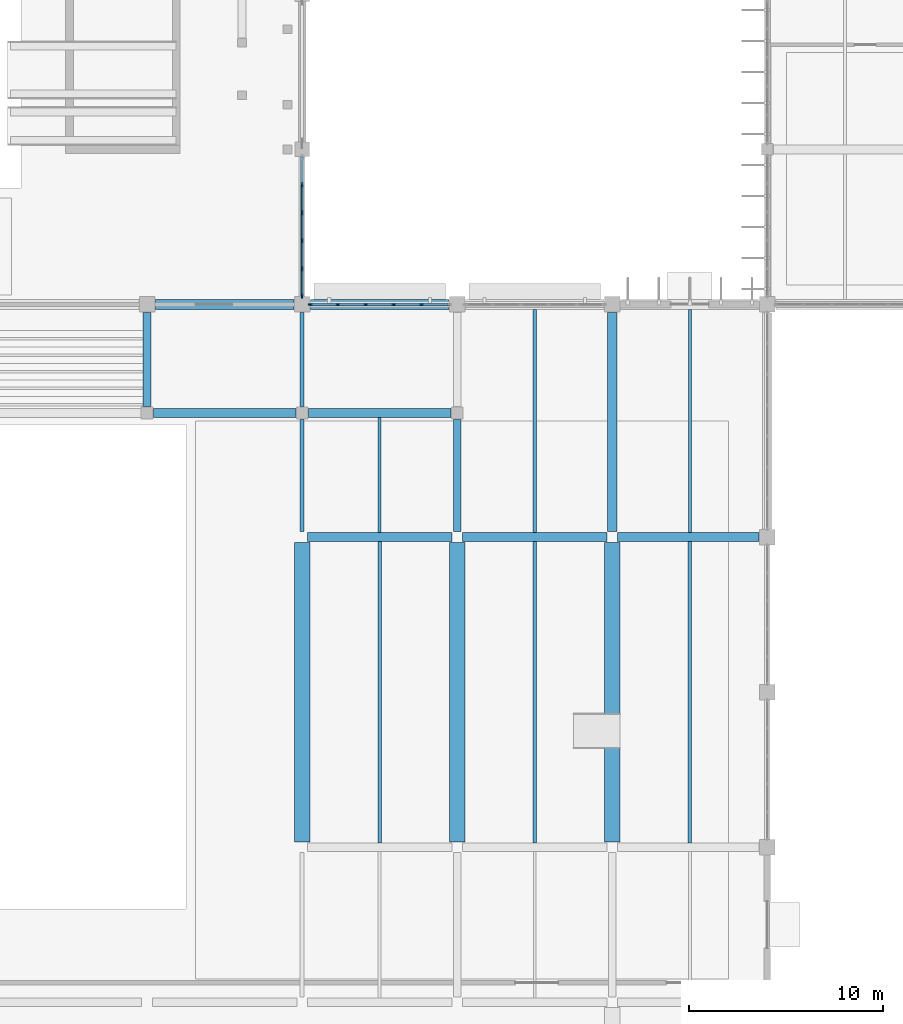
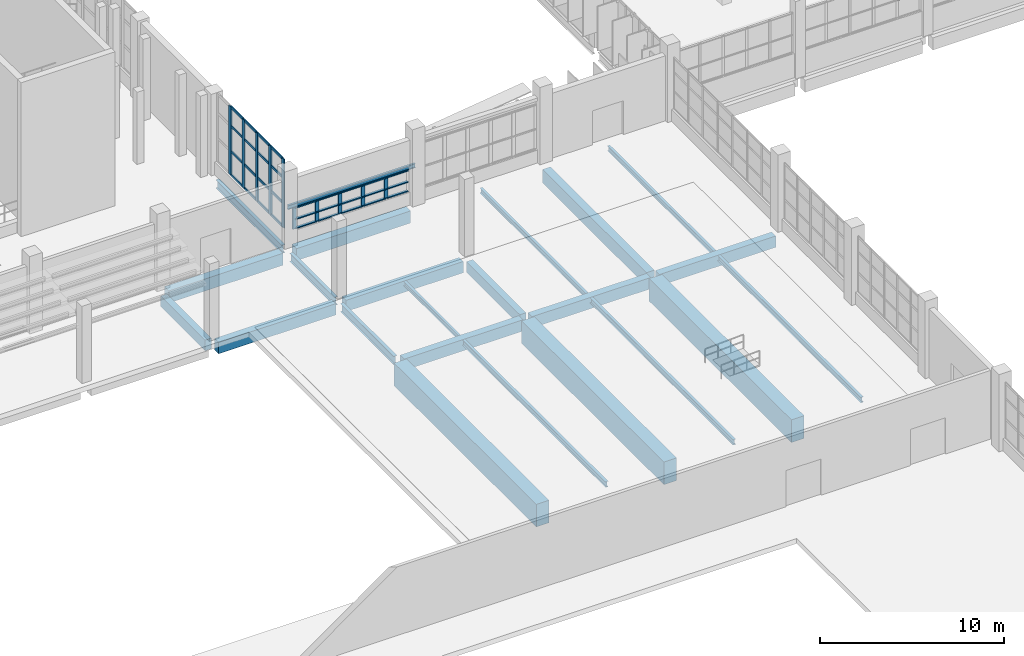
# One storey, part 31 of 103: 41 members, 23 beams, 2 elements without a shape of their own.
"""IFC4 building model written with IfcOpenShell, lengths in metres."""

import ifcopenshell
import ifcopenshell.guid

model = None  # the IFC model being written
_history = None  # IfcOwnerHistory: only IFC2X3 demands one
_inside = {}  # id of a spatial element -> (the spatial element, [elements in it])
_under = {}  # id of a project, library or spatial element -> (it, [spatial elements below it])
_declared = {}  # id of a project -> (the project, [libraries it declares])
_typed = {}  # id of a type object -> (the type object, [elements of that type])
_made_of = {}  # id of a material, layer set ... -> (it, [elements and type objects made of it])


def new_model(schema):
    """Start an empty IFC model of exactly this schema.

    Asked for "IFC4X3", IfcOpenShell would pick the latest addendum, in which some entities
    have other attributes; the version numbers below select the first issue.
    IFC2X3 requires an IfcOwnerHistory on every rooted entity: one is made here for all.
    """
    global model, _history
    if schema == "IFC4X3":
        model = ifcopenshell.file(schema_version=(4, 3, 0, 0))
    else:
        model = ifcopenshell.file(schema=schema)
    _inside.clear()
    _under.clear()
    _declared.clear()
    _typed.clear()
    _made_of.clear()
    _history = None
    if model.schema == "IFC2X3":
        org = make("IfcOrganization", Name="unknown")
        user = make(
            "IfcPersonAndOrganization",
            ThePerson=make("IfcPerson", FamilyName="unknown"),
            TheOrganization=org,
        )
        app = make(
            "IfcApplication",
            ApplicationDeveloper=org,
            Version="unknown",
            ApplicationFullName="unknown",
            ApplicationIdentifier="unknown",
        )
        _history = make(
            "IfcOwnerHistory",
            OwningUser=user,
            OwningApplication=app,
            ChangeAction="ADDED",
            CreationDate=0,
        )
    return model


def make(cls, **values):
    """One entity of the class cls with the attributes given. An attribute that is None is left unset."""
    return model.create_entity(
        cls, **{name: value for name, value in values.items() if value is not None}
    )


def rooted(cls, **values):
    """An entity with a GlobalId (a new one), such as an element, a storey or a relation."""
    return make(cls, GlobalId=ifcopenshell.guid.new(), OwnerHistory=_history, **values)


def si_unit(unit_type, name, prefix=None):
    """IfcSIUnit, for example si_unit("LENGTHUNIT", "METRE", prefix="MILLI")."""
    return make("IfcSIUnit", UnitType=unit_type, Prefix=prefix, Name=name)


def assignment(units):
    """IfcUnitAssignment: the units of a project."""
    return None if units is None else make("IfcUnitAssignment", Units=units)


def point(xyz):
    """IfcCartesianPoint."""
    return None if xyz is None else make("IfcCartesianPoint", Coordinates=xyz)


def direction(xyz):
    """IfcDirection."""
    return None if xyz is None else make("IfcDirection", DirectionRatios=xyz)


def frame(location, z_axis=None, x_axis=None):
    """IfcAxis2Placement3D, a coordinate frame: its origin and axes. An axis left out is left unset."""
    return make(
        "IfcAxis2Placement3D",
        Location=point(location),
        Axis=direction(z_axis),
        RefDirection=direction(x_axis),
    )


def frame_2d(location, x_axis=None):
    """IfcAxis2Placement2D, a coordinate frame in the plane: its origin and x axis."""
    return make(
        "IfcAxis2Placement2D", Location=point(location), RefDirection=direction(x_axis)
    )


def origin():
    """The frame at (0, 0, 0) with its axes left unset."""
    return frame((0.0, 0.0, 0.0))


def origin_2d():
    """The frame at (0, 0) in the plane with its x axis left unset."""
    return frame_2d((0.0, 0.0))


def place(relative_to, where):
    """IfcLocalPlacement: puts the frame where relative to a parent placement (None: the world)."""
    return make(
        "IfcLocalPlacement", PlacementRelTo=relative_to, RelativePlacement=where
    )


def context(
    kind, dimensions, precision=None, world=None, true_north=None, identifier=None
):
    """IfcGeometricRepresentationContext, for example the 3D "Model" context."""
    return make(
        "IfcGeometricRepresentationContext",
        ContextIdentifier=identifier,
        ContextType=kind,
        CoordinateSpaceDimension=dimensions,
        Precision=precision,
        WorldCoordinateSystem=world,
        TrueNorth=true_north,
    )


def subcontext(parent, identifier, kind, view, scale=None):
    """IfcGeometricRepresentationSubContext, for example "Body" below "Model"."""
    return make(
        "IfcGeometricRepresentationSubContext",
        ContextIdentifier=identifier,
        ContextType=kind,
        ParentContext=parent,
        TargetScale=scale,
        TargetView=view,
    )


def project(units=None, contexts=None):
    """IfcProject with its units and contexts."""
    return rooted(
        "IfcProject",
        Name="project",
        RepresentationContexts=contexts,
        UnitsInContext=assignment(units),
    )


def spatial(cls, under=None, at=None, **own):
    """A site, building, storey or space (cls), placed at a placement, below another one or the project."""
    s = rooted(cls, ObjectPlacement=at, **own)
    if under is not None:
        _under.setdefault(under.id(), (under, []))[1].append(s)
    return s


def profile(cls, at=None, kind="AREA", **sizes):
    """A parametric profile (cls). Its sizes go by their IFC names, for example OverallWidth=200.0."""
    return make(cls, ProfileType=kind, Position=at, **sizes)


def rectangle(**sizes):
    """IfcRectangleProfileDef."""
    return profile("IfcRectangleProfileDef", **sizes)


def i_section(**sizes):
    """IfcIShapeProfileDef."""
    return profile("IfcIShapeProfileDef", **sizes)


def extrude(swept, where, along, depth):
    """IfcExtrudedAreaSolid: the profile swept, set in the frame where, extruded along a direction by depth."""
    return make(
        "IfcExtrudedAreaSolid",
        SweptArea=swept,
        Position=where,
        ExtrudedDirection=direction(along),
        Depth=depth,
    )


def shape(context_of_items, identifier, shape_type, items):
    """IfcShapeRepresentation: the items that make up one representation, for example the "Body"."""
    return make(
        "IfcShapeRepresentation",
        ContextOfItems=context_of_items,
        RepresentationIdentifier=identifier,
        RepresentationType=shape_type,
        Items=items,
    )


def material(Name=None, Category=None):
    """IfcMaterial."""
    return make("IfcMaterial", Name=Name, Category=Category)


def layer(
    of_material, thickness, ventilated=None, Name=None, Category=None, Priority=None
):
    """IfcMaterialLayer: one layer of a wall or slab, of a material (None: an air gap)."""
    return make(
        "IfcMaterialLayer",
        Material=of_material,
        LayerThickness=thickness,
        IsVentilated=ventilated,
        Name=Name,
        Category=Category,
        Priority=Priority,
    )


def layer_set(layers, Name=None):
    """IfcMaterialLayerSet."""
    return make("IfcMaterialLayerSet", MaterialLayers=layers, LayerSetName=Name)


def material_profile(
    of_material, cross_section, Name=None, Category=None, Priority=None
):
    """IfcMaterialProfile: a cross section and its material."""
    return make(
        "IfcMaterialProfile",
        Name=Name,
        Material=of_material,
        Profile=cross_section,
        Priority=Priority,
        Category=Category,
    )


def profile_set(profiles, Name=None, composite=None):
    """IfcMaterialProfileSet."""
    return make(
        "IfcMaterialProfileSet",
        Name=Name,
        MaterialProfiles=profiles,
        CompositeProfile=composite,
    )


def made_of(thing, what):
    """Note that an element or type object is made of a material, layer set ...; save() writes the relation."""
    if what is not None:
        _made_of.setdefault(what.id(), (what, []))[1].append(thing)
    return thing


def type_object(cls, material=None, **own):
    """A type object (cls), such as IfcWallType, which elements share."""
    return made_of(rooted(cls, **own), material)


def element(
    cls,
    number,
    at=None,
    inside=None,
    cuts=None,
    type_object=None,
    material=None,
    context=None,
    identifier="Body",
    shape_type=None,
    held_by="IfcProductDefinitionShape",
    body=None,
    shapes=None,
    **own,
):
    """One element of the class cls, such as IfcWall. Its Tag is "e" and its number.

    at: its placement. inside: the storey or other place that contains it. cuts: it is an
    opening in that element (IfcRelVoidsElement). A single representation is given by context,
    identifier, shape_type and body (its items); several are given by shapes. held_by: the class
    of the entity that holds the representations. save() writes the other relations.
    """
    e = rooted(cls, Tag="e%d" % number, ObjectPlacement=at, **own)
    if body is not None:
        shapes = [shape(context, identifier, shape_type, body)]
    if shapes is not None:
        e.Representation = make(held_by, Representations=shapes)
    if inside is not None:
        _inside.setdefault(inside.id(), (inside, []))[1].append(e)
    if cuts is not None:
        rooted(
            "IfcRelVoidsElement", RelatingBuildingElement=cuts, RelatedOpeningElement=e
        )
    if type_object is not None:
        _typed.setdefault(type_object.id(), (type_object, []))[1].append(e)
    return made_of(e, material)


def aggregate(whole, parts):
    """IfcRelAggregates: a whole, such as a stair, and the parts it consists of."""
    return rooted("IfcRelAggregates", RelatingObject=whole, RelatedObjects=parts)


def save(model, path):
    """Write the relations noted so far, then the file.

    IfcRelAggregates (storeys below a building ...), IfcRelContainedInSpatialStructure (elements
    in a storey), IfcRelDefinesByType, IfcRelAssociatesMaterial and IfcRelDeclares: one each for
    every whole, place, type object, material and project.
    """
    for whole, parts in _under.values():
        aggregate(whole, parts)
    for where, things in _inside.values():
        rooted(
            "IfcRelContainedInSpatialStructure",
            RelatedElements=things,
            RelatingStructure=where,
        )
    for kind, things in _typed.values():
        rooted("IfcRelDefinesByType", RelatedObjects=things, RelatingType=kind)
    for what, things in _made_of.values():
        rooted("IfcRelAssociatesMaterial", RelatedObjects=things, RelatingMaterial=what)
    for by, libraries in _declared.values():
        rooted("IfcRelDeclares", RelatingContext=by, RelatedDefinitions=libraries)
    model.write(path)


model = new_model("IFC4")

# Units and contexts
model_context = context("Model", 3, precision=1e-05, world=origin(), true_north=direction((0.0, 1.0)))
body_context = subcontext(model_context, "Body", "Model", "MODEL_VIEW")
ifc_project = project(units=[si_unit("LENGTHUNIT", "METRE"), si_unit("AREAUNIT", "SQUARE_METRE"), si_unit("VOLUMEUNIT", "CUBIC_METRE"), si_unit("PLANEANGLEUNIT", "RADIAN"), si_unit("MASSUNIT", "GRAM", prefix="KILO")], contexts=[model_context])

# Site, building, storey
site_placement = place(None, origin())
site = spatial("IfcSite", under=ifc_project, at=site_placement, CompositionType="ELEMENT")
building_placement = place(site_placement, origin())
building = spatial("IfcBuilding", under=site, at=building_placement, Name="Drelvana Railside Aquatics Centre", CompositionType="ELEMENT")
storey_placement = place(building_placement, origin())
storey = spatial("IfcBuildingStorey", under=building, at=storey_placement, Name="L00", CompositionType="ELEMENT", Elevation=0.0)

# Curtain wall, members
ifc_material_1 = material(Name="Bronze-anodised aluminium curtain wall", Category="aluminium")
ifc_layer_1 = layer(ifc_material_1, 0.199951171875, Name="Bronze-anodised aluminium curtain wall")
ifc_layer_set_1 = layer_set([ifc_layer_1], Name="Bronze-anodised aluminium curtain wall")
curtain_wall_type_1 = type_object("IfcCurtainWallType", Name="CW-Z1-SINE", PredefinedType="NOTDEFINED", material=ifc_layer_set_1)
curtain_wall_1_placement = place(storey_placement, origin())
curtain_wall_1 = element("IfcCurtainWall", 1, at=curtain_wall_1_placement, inside=storey, type_object=curtain_wall_type_1, Name="Curtain wall CW-01-020", PredefinedType="NOTDEFINED")
ifc_material_2 = material(Name="Bronze-anodised aluminium 6063-T6", Category="aluminium")
ifc_material_profile_1 = material_profile(ifc_material_2, rectangle(XDim=0.074951171875, YDim=0.22509765625, at=origin_2d()), Name="ALU-M 75x225")
ifc_profile_set_1 = profile_set([ifc_material_profile_1], Name="Bronze-anodised aluminium 6063-T6")
member_type_1 = type_object("IfcMemberType", Name="CW-Z1-SINE-MUL", PredefinedType="MULLION", material=ifc_profile_set_1)
member_1_placement = place(storey_placement, frame((72.431396484375, 84.0, 0.843994140625), z_axis=(0.0, 0.0, 1.0), x_axis=(0.0, 1.0, 0.0)))
member_1 = element("IfcMember", 2, at=member_1_placement, type_object=member_type_1, Name="CW-01 mullion 1", PredefinedType="MULLION", context=body_context, shape_type="SweptSolid", body=[
    extrude(rectangle(XDim=0.074951171875, YDim=0.22509765625, at=origin_2d()), origin(), (0.0, 0.0, 1.0), 1.43603515625),
])
member_2_placement = place(storey_placement, frame((73.83642578125, 84.0, 0.843994140625), z_axis=(0.0, 0.0, 1.0), x_axis=(0.0, 1.0, 0.0)))
member_2 = element("IfcMember", 3, at=member_2_placement, type_object=member_type_1, Name="CW-01 mullion 2", PredefinedType="MULLION", context=body_context, shape_type="SweptSolid", body=[
    extrude(rectangle(XDim=0.074951171875, YDim=0.22509765625, at=origin_2d()), origin(), (0.0, 0.0, 1.0), 1.43603515625),
])
member_3_placement = place(storey_placement, frame((75.27880859375, 84.0, 0.843994140625), z_axis=(0.0, 0.0, 1.0), x_axis=(0.0, 1.0, 0.0)))
member_3 = element("IfcMember", 4, at=member_3_placement, type_object=member_type_1, Name="CW-01 mullion 3", PredefinedType="MULLION", context=body_context, shape_type="SweptSolid", body=[
    extrude(rectangle(XDim=0.074951171875, YDim=0.22509765625, at=origin_2d()), origin(), (0.0, 0.0, 1.0), 1.43603515625),
])
member_4_placement = place(storey_placement, frame((76.72119140625, 84.0, 0.843994140625), z_axis=(0.0, 0.0, 1.0), x_axis=(0.0, 1.0, 0.0)))
member_4 = element("IfcMember", 5, at=member_4_placement, type_object=member_type_1, Name="CW-01 mullion 4", PredefinedType="MULLION", context=body_context, shape_type="SweptSolid", body=[
    extrude(rectangle(XDim=0.074951171875, YDim=0.22509765625, at=origin_2d()), origin(), (0.0, 0.0, 1.0), 1.43603515625),
])
member_5_placement = place(storey_placement, frame((78.16357421875, 84.0, 0.843994140625), z_axis=(0.0, 0.0, 1.0), x_axis=(0.0, 1.0, 0.0)))
member_5 = element("IfcMember", 6, at=member_5_placement, type_object=member_type_1, Name="CW-01 mullion 5", PredefinedType="MULLION", context=body_context, shape_type="SweptSolid", body=[
    extrude(rectangle(XDim=0.074951171875, YDim=0.22509765625, at=origin_2d()), origin(), (0.0, 0.0, 1.0), 1.43603515625),
])
ifc_material_profile_2 = material_profile(ifc_material_2, rectangle(XDim=0.159912109375, YDim=0.070068359375, at=origin_2d()), Name="ALU-T 70x160")
ifc_profile_set_2 = profile_set([ifc_material_profile_2], Name="Bronze-anodised aluminium 6063-T6")
member_type_2 = type_object("IfcMemberType", Name="CW-Z1-SINE-TRN", PredefinedType="USERDEFINED", material=ifc_profile_set_2)
member_6_placement = place(storey_placement, frame((72.464111328125, 84.0, 0.87890625), z_axis=(1.0, 0.0, 0.0), x_axis=(0.0, 1.0, 0.0)))
member_6 = element("IfcMember", 7, at=member_6_placement, type_object=member_type_2, Name="CW-01 transom 1.1", ObjectType="TRANSOM", PredefinedType="USERDEFINED", context=body_context, shape_type="SweptSolid", body=[
    extrude(rectangle(XDim=0.159912109375, YDim=0.070068359375, at=origin_2d()), origin(), (0.0, 0.0, 1.0), 1.33984375),
])
member_7_placement = place(storey_placement, frame((72.464111328125, 84.0, 1.489990234375), z_axis=(1.0, 0.0, 0.0), x_axis=(0.0, 1.0, 0.0)))
member_7 = element("IfcMember", 8, at=member_7_placement, type_object=member_type_2, Name="CW-01 transom 1.2", ObjectType="TRANSOM", PredefinedType="USERDEFINED", context=body_context, shape_type="SweptSolid", body=[
    extrude(rectangle(XDim=0.159912109375, YDim=0.070068359375, at=origin_2d()), origin(), (0.0, 0.0, 1.0), 1.33984375),
])
member_8_placement = place(storey_placement, frame((72.464111328125, 84.0, 2.2451171875), z_axis=(1.0, 0.0, 0.0), x_axis=(0.0, 1.0, 0.0)))
member_8 = element("IfcMember", 9, at=member_8_placement, type_object=member_type_2, Name="CW-01 transom 1.3", ObjectType="TRANSOM", PredefinedType="USERDEFINED", context=body_context, shape_type="SweptSolid", body=[
    extrude(rectangle(XDim=0.159912109375, YDim=0.070068359375, at=origin_2d()), origin(), (0.0, 0.0, 1.0), 1.33984375),
])
member_9_placement = place(storey_placement, frame((73.868896484375, 84.0, 0.87890625), z_axis=(1.0, 0.0, 0.0), x_axis=(0.0, 1.0, 0.0)))
member_9 = element("IfcMember", 10, at=member_9_placement, type_object=member_type_2, Name="CW-01 transom 2.1", ObjectType="TRANSOM", PredefinedType="USERDEFINED", context=body_context, shape_type="SweptSolid", body=[
    extrude(rectangle(XDim=0.159912109375, YDim=0.070068359375, at=origin_2d()), origin(), (0.0, 0.0, 1.0), 1.37744140625),
])
member_10_placement = place(storey_placement, frame((73.868896484375, 84.0, 1.489990234375), z_axis=(1.0, 0.0, 0.0), x_axis=(0.0, 1.0, 0.0)))
member_10 = element("IfcMember", 11, at=member_10_placement, type_object=member_type_2, Name="CW-01 transom 2.2", ObjectType="TRANSOM", PredefinedType="USERDEFINED", context=body_context, shape_type="SweptSolid", body=[
    extrude(rectangle(XDim=0.159912109375, YDim=0.070068359375, at=origin_2d()), origin(), (0.0, 0.0, 1.0), 1.37744140625),
])
member_11_placement = place(storey_placement, frame((73.868896484375, 84.0, 2.2451171875), z_axis=(1.0, 0.0, 0.0), x_axis=(0.0, 1.0, 0.0)))
member_11 = element("IfcMember", 12, at=member_11_placement, type_object=member_type_2, Name="CW-01 transom 2.3", ObjectType="TRANSOM", PredefinedType="USERDEFINED", context=body_context, shape_type="SweptSolid", body=[
    extrude(rectangle(XDim=0.159912109375, YDim=0.070068359375, at=origin_2d()), origin(), (0.0, 0.0, 1.0), 1.37744140625),
])
member_12_placement = place(storey_placement, frame((75.311279296875, 84.0, 0.87890625), z_axis=(1.0, 0.0, 0.0), x_axis=(0.0, 1.0, 0.0)))
member_12 = element("IfcMember", 13, at=member_12_placement, type_object=member_type_2, Name="CW-01 transom 3.1", ObjectType="TRANSOM", PredefinedType="USERDEFINED", context=body_context, shape_type="SweptSolid", body=[
    extrude(rectangle(XDim=0.159912109375, YDim=0.070068359375, at=origin_2d()), origin(), (0.0, 0.0, 1.0), 1.37744140625),
])
member_13_placement = place(storey_placement, frame((75.311279296875, 84.0, 1.489990234375), z_axis=(1.0, 0.0, 0.0), x_axis=(0.0, 1.0, 0.0)))
member_13 = element("IfcMember", 14, at=member_13_placement, type_object=member_type_2, Name="CW-01 transom 3.2", ObjectType="TRANSOM", PredefinedType="USERDEFINED", context=body_context, shape_type="SweptSolid", body=[
    extrude(rectangle(XDim=0.159912109375, YDim=0.070068359375, at=origin_2d()), origin(), (0.0, 0.0, 1.0), 1.37744140625),
])
member_14_placement = place(storey_placement, frame((75.311279296875, 84.0, 2.2451171875), z_axis=(1.0, 0.0, 0.0), x_axis=(0.0, 1.0, 0.0)))
member_14 = element("IfcMember", 15, at=member_14_placement, type_object=member_type_2, Name="CW-01 transom 3.3", ObjectType="TRANSOM", PredefinedType="USERDEFINED", context=body_context, shape_type="SweptSolid", body=[
    extrude(rectangle(XDim=0.159912109375, YDim=0.070068359375, at=origin_2d()), origin(), (0.0, 0.0, 1.0), 1.37744140625),
])
member_15_placement = place(storey_placement, frame((76.753662109375, 84.0, 0.87890625), z_axis=(1.0, 0.0, 0.0), x_axis=(0.0, 1.0, 0.0)))
member_15 = element("IfcMember", 16, at=member_15_placement, type_object=member_type_2, Name="CW-01 transom 4.1", ObjectType="TRANSOM", PredefinedType="USERDEFINED", context=body_context, shape_type="SweptSolid", body=[
    extrude(rectangle(XDim=0.159912109375, YDim=0.070068359375, at=origin_2d()), origin(), (0.0, 0.0, 1.0), 1.37744140625),
])
member_16_placement = place(storey_placement, frame((76.753662109375, 84.0, 1.489990234375), z_axis=(1.0, 0.0, 0.0), x_axis=(0.0, 1.0, 0.0)))
member_16 = element("IfcMember", 17, at=member_16_placement, type_object=member_type_2, Name="CW-01 transom 4.2", ObjectType="TRANSOM", PredefinedType="USERDEFINED", context=body_context, shape_type="SweptSolid", body=[
    extrude(rectangle(XDim=0.159912109375, YDim=0.070068359375, at=origin_2d()), origin(), (0.0, 0.0, 1.0), 1.37744140625),
])
member_17_placement = place(storey_placement, frame((76.753662109375, 84.0, 2.2451171875), z_axis=(1.0, 0.0, 0.0), x_axis=(0.0, 1.0, 0.0)))
member_17 = element("IfcMember", 18, at=member_17_placement, type_object=member_type_2, Name="CW-01 transom 4.3", ObjectType="TRANSOM", PredefinedType="USERDEFINED", context=body_context, shape_type="SweptSolid", body=[
    extrude(rectangle(XDim=0.159912109375, YDim=0.070068359375, at=origin_2d()), origin(), (0.0, 0.0, 1.0), 1.37744140625),
])
member_18_placement = place(storey_placement, frame((78.196044921875, 84.0, 0.87890625), z_axis=(1.0, 0.0, 0.0), x_axis=(0.0, 1.0, 0.0)))
member_18 = element("IfcMember", 19, at=member_18_placement, type_object=member_type_2, Name="CW-01 transom 5.1", ObjectType="TRANSOM", PredefinedType="USERDEFINED", context=body_context, shape_type="SweptSolid", body=[
    extrude(rectangle(XDim=0.159912109375, YDim=0.070068359375, at=origin_2d()), origin(), (0.0, 0.0, 1.0), 1.33984375),
])
member_19_placement = place(storey_placement, frame((78.196044921875, 84.0, 1.489990234375), z_axis=(1.0, 0.0, 0.0), x_axis=(0.0, 1.0, 0.0)))
member_19 = element("IfcMember", 20, at=member_19_placement, type_object=member_type_2, Name="CW-01 transom 5.2", ObjectType="TRANSOM", PredefinedType="USERDEFINED", context=body_context, shape_type="SweptSolid", body=[
    extrude(rectangle(XDim=0.159912109375, YDim=0.070068359375, at=origin_2d()), origin(), (0.0, 0.0, 1.0), 1.33984375),
])
member_20_placement = place(storey_placement, frame((78.196044921875, 84.0, 2.2451171875), z_axis=(1.0, 0.0, 0.0), x_axis=(0.0, 1.0, 0.0)))
member_20 = element("IfcMember", 21, at=member_20_placement, type_object=member_type_2, Name="CW-01 transom 5.3", ObjectType="TRANSOM", PredefinedType="USERDEFINED", context=body_context, shape_type="SweptSolid", body=[
    extrude(rectangle(XDim=0.159912109375, YDim=0.070068359375, at=origin_2d()), origin(), (0.0, 0.0, 1.0), 1.33984375),
])
aggregate(curtain_wall_1, [member_1, member_2, member_3, member_4, member_5, member_6, member_7, member_8, member_9, member_10, member_11, member_12, member_13, member_14, member_15, member_16, member_17, member_18, member_19, member_20])

ifc_layer_2 = layer(ifc_material_1, 0.2099609375, Name="Bronze-anodised aluminium curtain wall")
ifc_layer_set_2 = layer_set([ifc_layer_2], Name="Bronze-anodised aluminium curtain wall")
curtain_wall_type_2 = type_object("IfcCurtainWallType", Name="CW-Z7-DIVE", PredefinedType="NOTDEFINED", material=ifc_layer_set_2)
curtain_wall_2_placement = place(storey_placement, origin())
curtain_wall_2 = element("IfcCurtainWall", 22, at=curtain_wall_2_placement, inside=storey, type_object=curtain_wall_type_2, Name="Curtain wall CW-07-090", PredefinedType="NOTDEFINED")
ifc_material_profile_3 = material_profile(ifc_material_2, rectangle(XDim=0.080078125, YDim=0.25, at=origin_2d()), Name="ALU-M 80x250")
ifc_profile_set_3 = profile_set([ifc_material_profile_3], Name="Bronze-anodised aluminium 6063-T6")
member_type_3 = type_object("IfcMemberType", Name="CW-Z7-DIVE-MUL", PredefinedType="MULLION", material=ifc_profile_set_3)
member_21_placement = place(storey_placement, frame((72.0, 84.43408203125, 0.843994140625), z_axis=(0.0, 0.0, 1.0), x_axis=(-1.0, 0.0, 0.0)))
member_21 = element("IfcMember", 23, at=member_21_placement, type_object=member_type_3, Name="CW-07 mullion 1", PredefinedType="MULLION", context=body_context, shape_type="SweptSolid", body=[
    extrude(rectangle(XDim=0.080078125, YDim=0.25, at=origin_2d()), origin(), (0.0, 0.0, 1.0), 4.5458984375),
])
member_22_placement = place(storey_placement, frame((72.0, 85.84130859375, 0.843994140625), z_axis=(0.0, 0.0, 1.0), x_axis=(-1.0, 0.0, 0.0)))
member_22 = element("IfcMember", 24, at=member_22_placement, type_object=member_type_3, Name="CW-07 mullion 2", PredefinedType="MULLION", context=body_context, shape_type="SweptSolid", body=[
    extrude(rectangle(XDim=0.080078125, YDim=0.25, at=origin_2d()), origin(), (0.0, 0.0, 1.0), 4.5458984375),
])
member_23_placement = place(storey_placement, frame((72.0, 87.288818359375, 0.843994140625), z_axis=(0.0, 0.0, 1.0), x_axis=(-1.0, 0.0, 0.0)))
member_23 = element("IfcMember", 25, at=member_23_placement, type_object=member_type_3, Name="CW-07 mullion 3", PredefinedType="MULLION", context=body_context, shape_type="SweptSolid", body=[
    extrude(rectangle(XDim=0.080078125, YDim=0.25, at=origin_2d()), origin(), (0.0, 0.0, 1.0), 4.5458984375),
])
member_24_placement = place(storey_placement, frame((72.0, 88.736083984375, 0.843994140625), z_axis=(0.0, 0.0, 1.0), x_axis=(-1.0, 0.0, 0.0)))
member_24 = element("IfcMember", 26, at=member_24_placement, type_object=member_type_3, Name="CW-07 mullion 4", PredefinedType="MULLION", context=body_context, shape_type="SweptSolid", body=[
    extrude(rectangle(XDim=0.080078125, YDim=0.25, at=origin_2d()), origin(), (0.0, 0.0, 1.0), 4.5458984375),
])
member_25_placement = place(storey_placement, frame((72.0, 90.18359375, 0.843994140625), z_axis=(0.0, 0.0, 1.0), x_axis=(-1.0, 0.0, 0.0)))
member_25 = element("IfcMember", 27, at=member_25_placement, type_object=member_type_3, Name="CW-07 mullion 5", PredefinedType="MULLION", context=body_context, shape_type="SweptSolid", body=[
    extrude(rectangle(XDim=0.080078125, YDim=0.25, at=origin_2d()), origin(), (0.0, 0.0, 1.0), 4.5458984375),
])
ifc_material_profile_4 = material_profile(ifc_material_2, rectangle(XDim=0.159912109375, YDim=0.070068359375, at=origin_2d()), Name="ALU-T 70x160")
ifc_profile_set_4 = profile_set([ifc_material_profile_4], Name="Bronze-anodised aluminium 6063-T6")
member_type_4 = type_object("IfcMemberType", Name="CW-Z7-DIVE-TRN", PredefinedType="USERDEFINED", material=ifc_profile_set_4)
member_26_placement = place(storey_placement, frame((72.0, 84.468994140625, 0.87890625), z_axis=(0.0, 1.0, 0.0), x_axis=(0.0, 0.0, 1.0)))
member_26 = element("IfcMember", 28, at=member_26_placement, type_object=member_type_4, Name="CW-07 transom 1.1", ObjectType="TRANSOM", PredefinedType="USERDEFINED", context=body_context, shape_type="SweptSolid", body=[
    extrude(rectangle(XDim=0.159912109375, YDim=0.070068359375, at=origin_2d()), origin(), (0.0, 0.0, 1.0), 1.33740234375),
])
member_27_placement = place(storey_placement, frame((72.0, 84.468994140625, 2.43505859375), z_axis=(0.0, 1.0, 0.0), x_axis=(0.0, 0.0, 1.0)))
member_27 = element("IfcMember", 29, at=member_27_placement, type_object=member_type_4, Name="CW-07 transom 1.2", ObjectType="TRANSOM", PredefinedType="USERDEFINED", context=body_context, shape_type="SweptSolid", body=[
    extrude(rectangle(XDim=0.159912109375, YDim=0.070068359375, at=origin_2d()), origin(), (0.0, 0.0, 1.0), 1.33740234375),
])
member_28_placement = place(storey_placement, frame((72.0, 84.468994140625, 4.116943359375), z_axis=(0.0, 1.0, 0.0), x_axis=(0.0, 0.0, 1.0)))
member_28 = element("IfcMember", 30, at=member_28_placement, type_object=member_type_4, Name="CW-07 transom 1.3", ObjectType="TRANSOM", PredefinedType="USERDEFINED", context=body_context, shape_type="SweptSolid", body=[
    extrude(rectangle(XDim=0.159912109375, YDim=0.070068359375, at=origin_2d()), origin(), (0.0, 0.0, 1.0), 1.33740234375),
])
member_29_placement = place(storey_placement, frame((72.0, 84.468994140625, 5.35498046875), z_axis=(0.0, 1.0, 0.0), x_axis=(0.0, 0.0, 1.0)))
member_29 = element("IfcMember", 31, at=member_29_placement, type_object=member_type_4, Name="CW-07 transom 1.4", ObjectType="TRANSOM", PredefinedType="USERDEFINED", context=body_context, shape_type="SweptSolid", body=[
    extrude(rectangle(XDim=0.159912109375, YDim=0.070068359375, at=origin_2d()), origin(), (0.0, 0.0, 1.0), 1.33740234375),
])
member_30_placement = place(storey_placement, frame((72.0, 85.87646484375, 0.87890625), z_axis=(0.0, 1.0, 0.0), x_axis=(0.0, 0.0, 1.0)))
member_30 = element("IfcMember", 32, at=member_30_placement, type_object=member_type_4, Name="CW-07 transom 2.1", ObjectType="TRANSOM", PredefinedType="USERDEFINED", context=body_context, shape_type="SweptSolid", body=[
    extrude(rectangle(XDim=0.159912109375, YDim=0.070068359375, at=origin_2d()), origin(), (0.0, 0.0, 1.0), 1.37744140625),
])
member_31_placement = place(storey_placement, frame((72.0, 85.87646484375, 2.43505859375), z_axis=(0.0, 1.0, 0.0), x_axis=(0.0, 0.0, 1.0)))
member_31 = element("IfcMember", 33, at=member_31_placement, type_object=member_type_4, Name="CW-07 transom 2.2", ObjectType="TRANSOM", PredefinedType="USERDEFINED", context=body_context, shape_type="SweptSolid", body=[
    extrude(rectangle(XDim=0.159912109375, YDim=0.070068359375, at=origin_2d()), origin(), (0.0, 0.0, 1.0), 1.37744140625),
])
member_32_placement = place(storey_placement, frame((72.0, 85.87646484375, 4.116943359375), z_axis=(0.0, 1.0, 0.0), x_axis=(0.0, 0.0, 1.0)))
member_32 = element("IfcMember", 34, at=member_32_placement, type_object=member_type_4, Name="CW-07 transom 2.3", ObjectType="TRANSOM", PredefinedType="USERDEFINED", context=body_context, shape_type="SweptSolid", body=[
    extrude(rectangle(XDim=0.159912109375, YDim=0.070068359375, at=origin_2d()), origin(), (0.0, 0.0, 1.0), 1.37744140625),
])
member_33_placement = place(storey_placement, frame((72.0, 85.87646484375, 5.35498046875), z_axis=(0.0, 1.0, 0.0), x_axis=(0.0, 0.0, 1.0)))
member_33 = element("IfcMember", 35, at=member_33_placement, type_object=member_type_4, Name="CW-07 transom 2.4", ObjectType="TRANSOM", PredefinedType="USERDEFINED", context=body_context, shape_type="SweptSolid", body=[
    extrude(rectangle(XDim=0.159912109375, YDim=0.070068359375, at=origin_2d()), origin(), (0.0, 0.0, 1.0), 1.37744140625),
])
member_34_placement = place(storey_placement, frame((72.0, 87.32373046875, 0.87890625), z_axis=(0.0, 1.0, 0.0), x_axis=(0.0, 0.0, 1.0)))
member_34 = element("IfcMember", 36, at=member_34_placement, type_object=member_type_4, Name="CW-07 transom 3.1", ObjectType="TRANSOM", PredefinedType="USERDEFINED", context=body_context, shape_type="SweptSolid", body=[
    extrude(rectangle(XDim=0.159912109375, YDim=0.070068359375, at=origin_2d()), origin(), (0.0, 0.0, 1.0), 1.37744140625),
])
member_35_placement = place(storey_placement, frame((72.0, 87.32373046875, 2.43505859375), z_axis=(0.0, 1.0, 0.0), x_axis=(0.0, 0.0, 1.0)))
member_35 = element("IfcMember", 37, at=member_35_placement, type_object=member_type_4, Name="CW-07 transom 3.2", ObjectType="TRANSOM", PredefinedType="USERDEFINED", context=body_context, shape_type="SweptSolid", body=[
    extrude(rectangle(XDim=0.159912109375, YDim=0.070068359375, at=origin_2d()), origin(), (0.0, 0.0, 1.0), 1.37744140625),
])
member_36_placement = place(storey_placement, frame((72.0, 87.32373046875, 4.116943359375), z_axis=(0.0, 1.0, 0.0), x_axis=(0.0, 0.0, 1.0)))
member_36 = element("IfcMember", 38, at=member_36_placement, type_object=member_type_4, Name="CW-07 transom 3.3", ObjectType="TRANSOM", PredefinedType="USERDEFINED", context=body_context, shape_type="SweptSolid", body=[
    extrude(rectangle(XDim=0.159912109375, YDim=0.070068359375, at=origin_2d()), origin(), (0.0, 0.0, 1.0), 1.37744140625),
])
member_37_placement = place(storey_placement, frame((72.0, 87.32373046875, 5.35498046875), z_axis=(0.0, 1.0, 0.0), x_axis=(0.0, 0.0, 1.0)))
member_37 = element("IfcMember", 39, at=member_37_placement, type_object=member_type_4, Name="CW-07 transom 3.4", ObjectType="TRANSOM", PredefinedType="USERDEFINED", context=body_context, shape_type="SweptSolid", body=[
    extrude(rectangle(XDim=0.159912109375, YDim=0.070068359375, at=origin_2d()), origin(), (0.0, 0.0, 1.0), 1.37744140625),
])
member_38_placement = place(storey_placement, frame((72.0, 88.771240234375, 0.87890625), z_axis=(0.0, 1.0, 0.0), x_axis=(0.0, 0.0, 1.0)))
member_38 = element("IfcMember", 40, at=member_38_placement, type_object=member_type_4, Name="CW-07 transom 4.1", ObjectType="TRANSOM", PredefinedType="USERDEFINED", context=body_context, shape_type="SweptSolid", body=[
    extrude(rectangle(XDim=0.159912109375, YDim=0.070068359375, at=origin_2d()), origin(), (0.0, 0.0, 1.0), 1.37744140625),
])
member_39_placement = place(storey_placement, frame((72.0, 88.771240234375, 2.43505859375), z_axis=(0.0, 1.0, 0.0), x_axis=(0.0, 0.0, 1.0)))
member_39 = element("IfcMember", 41, at=member_39_placement, type_object=member_type_4, Name="CW-07 transom 4.2", ObjectType="TRANSOM", PredefinedType="USERDEFINED", context=body_context, shape_type="SweptSolid", body=[
    extrude(rectangle(XDim=0.159912109375, YDim=0.070068359375, at=origin_2d()), origin(), (0.0, 0.0, 1.0), 1.37744140625),
])
member_40_placement = place(storey_placement, frame((72.0, 88.771240234375, 4.116943359375), z_axis=(0.0, 1.0, 0.0), x_axis=(0.0, 0.0, 1.0)))
member_40 = element("IfcMember", 42, at=member_40_placement, type_object=member_type_4, Name="CW-07 transom 4.3", ObjectType="TRANSOM", PredefinedType="USERDEFINED", context=body_context, shape_type="SweptSolid", body=[
    extrude(rectangle(XDim=0.159912109375, YDim=0.070068359375, at=origin_2d()), origin(), (0.0, 0.0, 1.0), 1.37744140625),
])
member_41_placement = place(storey_placement, frame((72.0, 88.771240234375, 5.35498046875), z_axis=(0.0, 1.0, 0.0), x_axis=(0.0, 0.0, 1.0)))
member_41 = element("IfcMember", 43, at=member_41_placement, type_object=member_type_4, Name="CW-07 transom 4.4", ObjectType="TRANSOM", PredefinedType="USERDEFINED", context=body_context, shape_type="SweptSolid", body=[
    extrude(rectangle(XDim=0.159912109375, YDim=0.070068359375, at=origin_2d()), origin(), (0.0, 0.0, 1.0), 1.37744140625),
])
aggregate(curtain_wall_2, [member_21, member_22, member_23, member_24, member_25, member_26, member_27, member_28, member_29, member_30, member_31, member_32, member_33, member_34, member_35, member_36, member_37, member_38, member_39, member_40, member_41])

# Beams
ifc_material_3 = material(Name="Concrete C40/50", Category="concrete")
ifc_material_profile_5 = material_profile(ifc_material_3, rectangle(XDim=0.39990234375, YDim=0.699951171875, at=origin_2d()), Name="RC 400x700")
ifc_profile_set_5 = profile_set([ifc_material_profile_5], Name="Concrete C40/50")
beam_type_1 = type_object("IfcBeamType", Name="STR-BM-BM-03-RC-400x700", PredefinedType="BEAM", material=ifc_profile_set_5)
beam_1_placement = place(storey_placement, frame((64.0, 78.72509765625, -0.679931640625), z_axis=(0.0, 1.0, 0.0), x_axis=(-1.0, 0.0, 0.0)))
element("IfcBeam", 44, at=beam_1_placement, inside=storey, type_object=beam_type_1, Name="Girder BM-03 (L00)", PredefinedType="BEAM", context=body_context, shape_type="SweptSolid", body=[
    extrude(rectangle(XDim=0.39990234375, YDim=0.699951171875, at=origin_2d()), origin(), (0.0, 0.0, 1.0), 4.849853515625),
])
beam_2_placement = place(storey_placement, frame((80.0, 72.27490234375, -0.679931640625), z_axis=(0.0, 1.0, 0.0), x_axis=(-1.0, 0.0, 0.0)))
element("IfcBeam", 45, at=beam_2_placement, inside=storey, type_object=beam_type_1, Name="Girder BM-03 (L00)", PredefinedType="BEAM", context=body_context, shape_type="SweptSolid", body=[
    extrude(rectangle(XDim=0.39990234375, YDim=0.699951171875, at=origin_2d()), origin(), (0.0, 0.0, 1.0), 5.800048828125),
])
ifc_material_profile_6 = material_profile(ifc_material_3, rectangle(XDim=0.449951171875, YDim=0.75, at=origin_2d()), Name="RC 450x750")
ifc_profile_set_6 = profile_set([ifc_material_profile_6], Name="Concrete C40/50")
beam_type_2 = type_object("IfcBeamType", Name="STR-BM-BM-04-RC-450x750", PredefinedType="BEAM", material=ifc_profile_set_6)
for number, where, z_axis, x_axis, name in (
    (46, (72.27490234375, 72.0, -0.705078125), (1.0, 0.0, 0.0), (0.0, 1.0, 0.0), "Girder BM-04 (L00)"),
    (47, (80.27490234375, 72.0, -0.705078125), (1.0, 0.0, 0.0), (0.0, 1.0, 0.0), "Girder BM-04 (L00)"),
):
    element("IfcBeam", number, at=place(storey_placement, frame(where, z_axis=z_axis, x_axis=x_axis)), inside=storey, type_object=beam_type_2, Name=name, PredefinedType="BEAM", context=body_context, shape_type="SweptSolid", body=[
        extrude(rectangle(XDim=0.449951171875, YDim=0.75, at=origin_2d()), origin(), (0.0, 0.0, 1.0), 7.4501953125),
    ])
beam_3_placement = place(storey_placement, frame((88.27490234375, 72.0, -0.705078125), z_axis=(1.0, 0.0, 0.0), x_axis=(0.0, 1.0, 0.0)))
element("IfcBeam", 48, at=beam_3_placement, inside=storey, type_object=beam_type_2, Name="Girder BM-04 (L00)", PredefinedType="BEAM", context=body_context, shape_type="SweptSolid", body=[
    extrude(rectangle(XDim=0.449951171875, YDim=0.75, at=origin_2d()), origin(), (0.0, 0.0, 1.0), 7.300048828125),
])
for number, where, z_axis, x_axis, name in (
    (49, (64.324951171875, 78.39990234375, -0.705078125), (1.0, 0.0, 0.0), (0.0, 1.0, 0.0), "Girder BM-04 (L00)"),
    (50, (72.324951171875, 78.39990234375, -0.705078125), (1.0, 0.0, 0.0), (0.0, 1.0, 0.0), "Girder BM-04 (L00)"),
):
    element("IfcBeam", number, at=place(storey_placement, frame(where, z_axis=z_axis, x_axis=x_axis)), inside=storey, type_object=beam_type_2, Name=name, PredefinedType="BEAM", context=body_context, shape_type="SweptSolid", body=[
        extrude(rectangle(XDim=0.449951171875, YDim=0.75, at=origin_2d()), origin(), (0.0, 0.0, 1.0), 7.35009765625),
    ])
ifc_material_profile_7 = material_profile(ifc_material_3, rectangle(XDim=0.5, YDim=0.800048828125, at=origin_2d()), Name="RC 500x800")
ifc_profile_set_7 = profile_set([ifc_material_profile_7], Name="Concrete C40/50")
beam_type_3 = type_object("IfcBeamType", Name="STR-BM-BM-06-RC-500x800", PredefinedType="SPANDREL", material=ifc_profile_set_7)
for number, where, z_axis, x_axis, name in (
    (51, (64.425048828125, 84.0, -0.72998046875), (1.0, 0.0, 0.0), (0.0, 1.0, 0.0), "Girder BM-06 (L00)"),
    (52, (72.425048828125, 84.0, -0.72998046875), (1.0, 0.0, 0.0), (0.0, 1.0, 0.0), "Girder BM-06 (L00)"),
):
    element("IfcBeam", number, at=place(storey_placement, frame(where, z_axis=z_axis, x_axis=x_axis)), inside=storey, type_object=beam_type_3, Name=name, PredefinedType="SPANDREL", context=body_context, shape_type="SweptSolid", body=[
        extrude(rectangle(XDim=0.5, YDim=0.800048828125, at=origin_2d()), origin(), (0.0, 0.0, 1.0), 7.14990234375),
    ])
ifc_material_profile_8 = material_profile(ifc_material_3, rectangle(XDim=0.5, YDim=0.89990234375, at=origin_2d()), Name="RC 500x900")
ifc_profile_set_8 = profile_set([ifc_material_profile_8], Name="Concrete C40/50")
beam_type_4 = type_object("IfcBeamType", Name="STR-BM-BM-07-RC-500x900", PredefinedType="BEAM", material=ifc_profile_set_8)
beam_4_placement = place(storey_placement, frame((88.0, 72.27490234375, -0.780029296875), z_axis=(0.0, 1.0, 0.0), x_axis=(-1.0, 0.0, 0.0)))
element("IfcBeam", 53, at=beam_4_placement, inside=storey, type_object=beam_type_4, Name="Girder BM-07 (L00)", PredefinedType="BEAM", context=body_context, shape_type="SweptSolid", body=[
    extrude(rectangle(XDim=0.5, YDim=0.89990234375, at=origin_2d()), origin(), (0.0, 0.0, 1.0), 11.300048828125),
])
ifc_material_profile_9 = material_profile(ifc_material_3, rectangle(XDim=0.800048828125, YDim=1.5, at=origin_2d()), Name="RC 800x1500")
ifc_profile_set_9 = profile_set([ifc_material_profile_9], Name="Concrete C40/50")
beam_type_5 = type_object("IfcBeamType", Name="STR-BM-TG-03-RC-800x1500", PredefinedType="BEAM", material=ifc_profile_set_9)
for number, where, z_axis, x_axis, name in (
    (54, (72.0, 56.27490234375, -1.080078125), (0.0, 1.0, 0.0), (-1.0, 0.0, 0.0), "Girder TG-03 (L00)"),
    (55, (80.0, 56.27490234375, -1.080078125), (0.0, 1.0, 0.0), (-1.0, 0.0, 0.0), "Girder TG-03 (L00)"),
    (56, (88.0, 56.27490234375, -1.080078125), (0.0, 1.0, 0.0), (-1.0, 0.0, 0.0), "Girder TG-03 (L00)"),
):
    element("IfcBeam", number, at=place(storey_placement, frame(where, z_axis=z_axis, x_axis=x_axis)), inside=storey, type_object=beam_type_5, Name=name, PredefinedType="BEAM", context=body_context, shape_type="SweptSolid", body=[
        extrude(rectangle(XDim=0.800048828125, YDim=1.5, at=origin_2d()), origin(), (0.0, 0.0, 1.0), 15.4501953125),
    ])
ifc_material_4 = material(Name="Structural steel S355", Category="steel")
ifc_material_profile_10 = material_profile(ifc_material_4, i_section(OverallWidth=0.2099609375, OverallDepth=0.550048828125, WebThickness=0.010986328125, FlangeThickness=0.01708984375, at=origin_2d()), Name="IPE 550")
ifc_profile_set_10 = profile_set([ifc_material_profile_10], Name="Structural steel S355")
beam_type_6 = type_object("IfcBeamType", Name="STR-SBM-SB-04-IPE-550", PredefinedType="SPANDREL", material=ifc_profile_set_10)
beam_5_placement = place(storey_placement, frame((72.0, 72.27490234375, -0.60498046875), z_axis=(0.0, 1.0, 0.0), x_axis=(-1.0, 0.0, 0.0)))
element("IfcBeam", 57, at=beam_5_placement, inside=storey, type_object=beam_type_6, Name="Girder SB-04 (L00)", PredefinedType="SPANDREL", context=body_context, shape_type="SweptSolid", body=[
    extrude(i_section(OverallWidth=0.2099609375, OverallDepth=0.550048828125, WebThickness=0.010986328125, FlangeThickness=0.01708984375, at=origin_2d()), origin(), (0.0, 0.0, 1.0), 5.800048828125),
])
beam_6_placement = place(storey_placement, frame((72.0, 78.72509765625, -0.60498046875), z_axis=(0.0, 1.0, 0.0), x_axis=(-1.0, 0.0, 0.0)))
element("IfcBeam", 58, at=beam_6_placement, inside=storey, type_object=beam_type_6, Name="Girder SB-04 (L00)", PredefinedType="SPANDREL", context=body_context, shape_type="SweptSolid", body=[
    extrude(i_section(OverallWidth=0.2099609375, OverallDepth=0.550048828125, WebThickness=0.010986328125, FlangeThickness=0.01708984375, at=origin_2d()), origin(), (0.0, 0.0, 1.0), 4.849853515625),
])
beam_7_placement = place(storey_placement, frame((72.0, 84.425048828125, -0.60498046875), z_axis=(0.0, 1.0, 0.0), x_axis=(-1.0, 0.0, 0.0)))
element("IfcBeam", 59, at=beam_7_placement, inside=storey, type_object=beam_type_6, Name="Girder SB-04 (L00)", PredefinedType="SPANDREL", context=body_context, shape_type="SweptSolid", body=[
    extrude(i_section(OverallWidth=0.2099609375, OverallDepth=0.550048828125, WebThickness=0.010986328125, FlangeThickness=0.01708984375, at=origin_2d()), origin(), (0.0, 0.0, 1.0), 7.175048828125),
])
ifc_material_profile_11 = material_profile(ifc_material_4, i_section(OverallWidth=0.135009765625, OverallDepth=0.27001953125, WebThickness=0.006591796875, FlangeThickness=0.01025390625, at=origin_2d()), Name="IPE 270")
ifc_profile_set_11 = profile_set([ifc_material_profile_11], Name="Structural steel S355")
beam_type_7 = type_object("IfcBeamType", Name="STR-SBM-SJ-02-IPE-270", PredefinedType="JOIST", material=ifc_profile_set_11)
beam_8_placement = place(storey_placement, frame((72.0, 84.0, 2.4150390625), z_axis=(1.0, 0.0, 0.0), x_axis=(0.0, 1.0, 0.0)))
element("IfcBeam", 60, at=beam_8_placement, inside=storey, type_object=beam_type_7, Name="V1N sine-wave lintel beam 2", PredefinedType="JOIST", context=body_context, shape_type="SweptSolid", body=[
    extrude(i_section(OverallWidth=0.135009765625, OverallDepth=0.27001953125, WebThickness=0.006591796875, FlangeThickness=0.01025390625, at=origin_2d()), origin(), (0.0, 0.0, 1.0), 8.0),
])
ifc_material_profile_12 = material_profile(ifc_material_4, i_section(OverallWidth=0.14990234375, OverallDepth=0.300048828125, WebThickness=0.007080078125, FlangeThickness=0.0107421875, at=origin_2d()), Name="IPE 300")
ifc_profile_set_12 = profile_set([ifc_material_profile_12], Name="Structural steel S355")
beam_type_8 = type_object("IfcBeamType", Name="STR-SBM-SJ-03-IPE-300", PredefinedType="JOIST", material=ifc_profile_set_12)
beam_9_placement = place(storey_placement, frame((76.0, 72.22509765625, -0.47998046875), z_axis=(0.0, 1.0, 0.0), x_axis=(-1.0, 0.0, 0.0)))
element("IfcBeam", 61, at=beam_9_placement, inside=storey, type_object=beam_type_8, Name="Secondary floor joist SJ-03 (L00)", PredefinedType="JOIST", context=body_context, shape_type="SweptSolid", body=[
    extrude(i_section(OverallWidth=0.14990234375, OverallDepth=0.300048828125, WebThickness=0.007080078125, FlangeThickness=0.0107421875, at=origin_2d()), origin(), (0.0, 0.0, 1.0), 5.949951171875),
])
ifc_material_profile_13 = material_profile(ifc_material_4, i_section(OverallWidth=0.159912109375, OverallDepth=0.330078125, WebThickness=0.007568359375, FlangeThickness=0.011474609375, at=origin_2d()), Name="IPE 330")
ifc_profile_set_13 = profile_set([ifc_material_profile_13], Name="Structural steel S355")
beam_type_9 = type_object("IfcBeamType", Name="STR-SBM-SJ-04-IPE-330", PredefinedType="JOIST", material=ifc_profile_set_13)
for number, where, z_axis, x_axis, name in (
    (62, (84.0, 72.22509765625, -0.4951171875), (0.0, 1.0, 0.0), (-1.0, 0.0, 0.0), "Secondary floor joist SJ-04 (L00)"),
    (63, (92.0, 72.22509765625, -0.4951171875), (0.0, 1.0, 0.0), (-1.0, 0.0, 0.0), "Secondary floor joist SJ-04 (L00)"),
):
    element("IfcBeam", number, at=place(storey_placement, frame(where, z_axis=z_axis, x_axis=x_axis)), inside=storey, type_object=beam_type_9, Name=name, PredefinedType="JOIST", context=body_context, shape_type="SweptSolid", body=[
        extrude(i_section(OverallWidth=0.159912109375, OverallDepth=0.330078125, WebThickness=0.007568359375, FlangeThickness=0.011474609375, at=origin_2d()), origin(), (0.0, 0.0, 1.0), 11.52490234375),
    ])
ifc_material_profile_14 = material_profile(ifc_material_4, i_section(OverallWidth=0.169921875, OverallDepth=0.360107421875, WebThickness=0.008056640625, FlangeThickness=0.0126953125, at=origin_2d()), Name="IPE 360")
ifc_profile_set_14 = profile_set([ifc_material_profile_14], Name="Structural steel S355")
beam_type_10 = type_object("IfcBeamType", Name="STR-SBM-SJ-05-IPE-360", PredefinedType="JOIST", material=ifc_profile_set_14)
for number, where, z_axis, x_axis, name in (
    (64, (76.0, 56.22509765625, -0.510009765625), (0.0, 1.0, 0.0), (-1.0, 0.0, 0.0), "Secondary floor joist SJ-05 (L00)"),
    (65, (84.0, 56.22509765625, -0.510009765625), (0.0, 1.0, 0.0), (-1.0, 0.0, 0.0), "Secondary floor joist SJ-05 (L00)"),
    (66, (92.0, 56.22509765625, -0.510009765625), (0.0, 1.0, 0.0), (-1.0, 0.0, 0.0), "Secondary floor joist SJ-05 (L00)"),
):
    element("IfcBeam", number, at=place(storey_placement, frame(where, z_axis=z_axis, x_axis=x_axis)), inside=storey, type_object=beam_type_10, Name=name, PredefinedType="JOIST", context=body_context, shape_type="SweptSolid", body=[
        extrude(i_section(OverallWidth=0.169921875, OverallDepth=0.360107421875, WebThickness=0.008056640625, FlangeThickness=0.0126953125, at=origin_2d()), origin(), (0.0, 0.0, 1.0), 15.5498046875),
    ])

save(model, "model.ifc")
